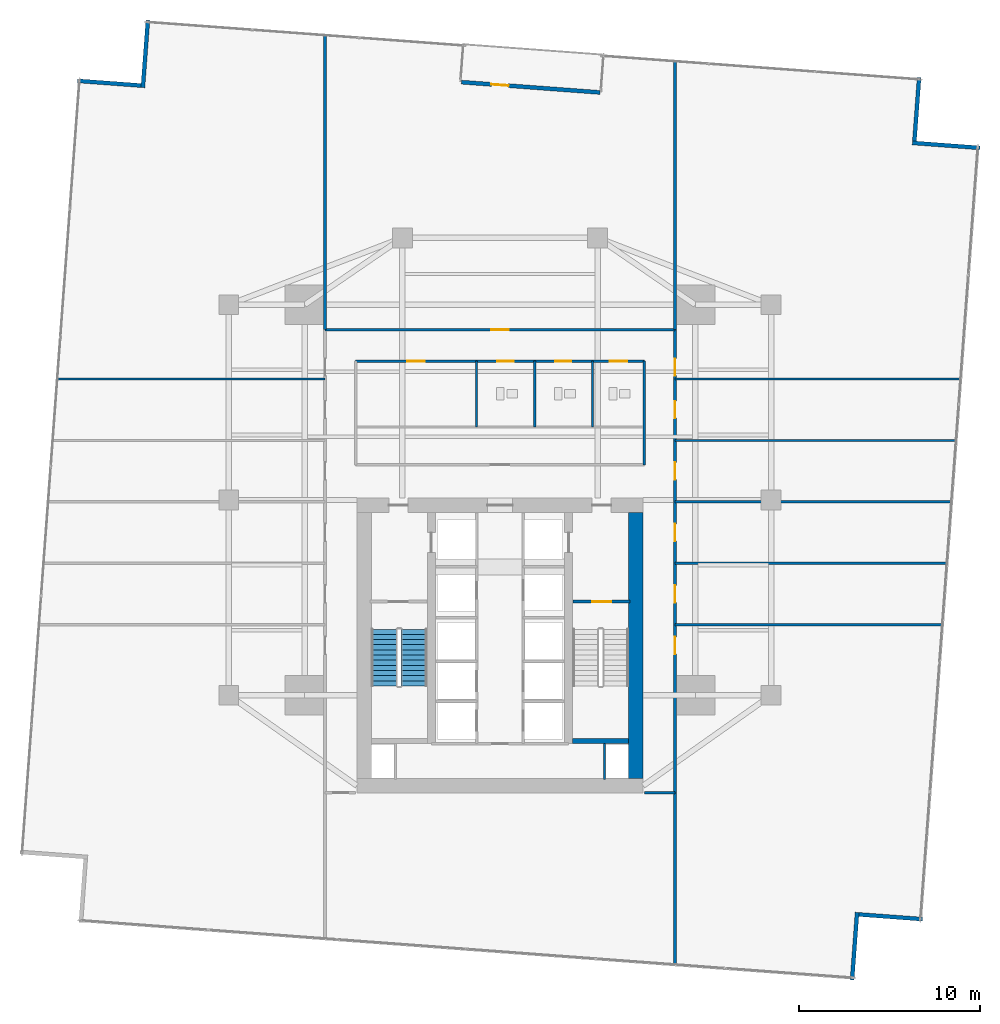
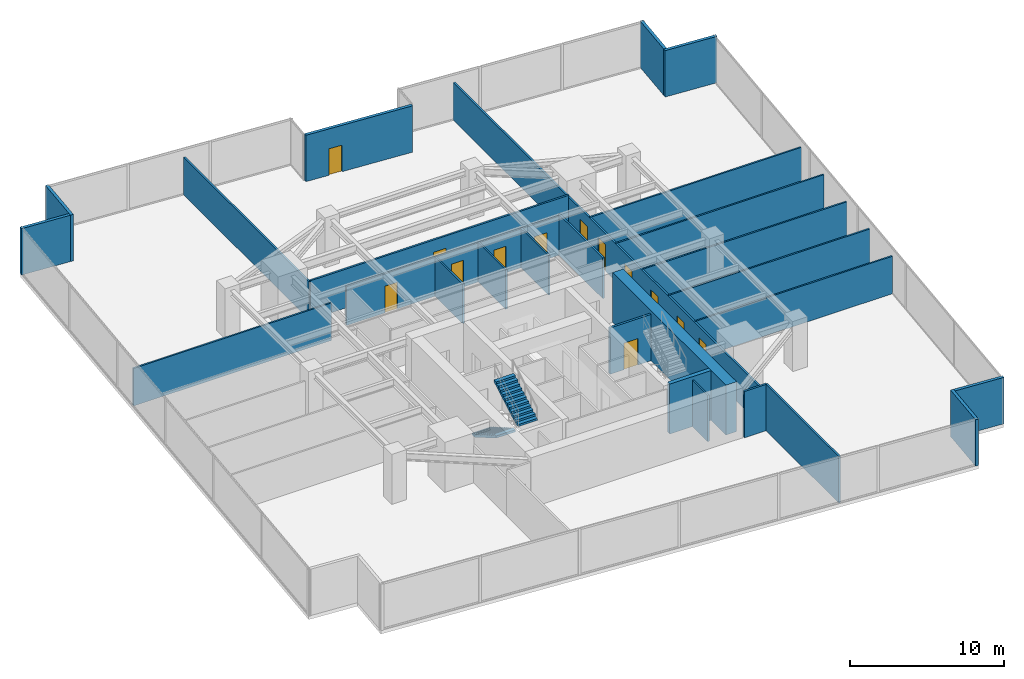
# One storey, part 27 of 30: 28 walls, 13 doors, 2 stair flights, 13 openings, 1 element without a shape of its own.
"""IFC4 building model written with IfcOpenShell, lengths in metres."""

from ifc_helpers import new_model, si_unit, direction, frame, frame_2d, origin, place, context, subcontext, project, spatial, polyline, rectangle, outline, extrude, material, layer, layer_set, type_object, element, fill, aggregate, save


model = new_model("IFC4")

# Units and contexts
model_context = context("Model", 3, precision=1e-05, world=origin(), true_north=direction((0.0, 1.0)))
body_context = subcontext(model_context, "Body", "Model", "MODEL_VIEW")
ifc_project = project(units=[si_unit("LENGTHUNIT", "METRE"), si_unit("AREAUNIT", "SQUARE_METRE"), si_unit("VOLUMEUNIT", "CUBIC_METRE"), si_unit("PLANEANGLEUNIT", "RADIAN"), si_unit("MASSUNIT", "GRAM", prefix="KILO")], contexts=[model_context])

# Site, building, storey
site_placement = place(None, origin())
site = spatial("IfcSite", under=ifc_project, at=site_placement, CompositionType="ELEMENT")
building_placement = place(site_placement, origin())
building = spatial("IfcBuilding", under=site, at=building_placement, Name="Krantzveldt Concourse Tower", CompositionType="ELEMENT")
storey_placement = place(building_placement, frame((0.0, 0.0, 48.699951171875)))
storey = spatial("IfcBuildingStorey", under=building, at=storey_placement, Name="L11", CompositionType="ELEMENT", Elevation=48.699951171875)

# Walls
ifc_material_1 = material(Name="Anodised aluminium 6063-T6", Category="aluminium")
ifc_layer_1 = layer(ifc_material_1, 0.219970703125, Name="Anodised aluminium 6063-T6", Category="aluminium")
ifc_layer_set_1 = layer_set([ifc_layer_1], Name="Anodised aluminium 6063-T6 (WL-EXT-NOTCH220)")
wall_type_1 = type_object("IfcWallType", Name="WL-EXT-NOTCH220", PredefinedType="ELEMENTEDWALL", material=ifc_layer_set_1)
wall_1_placement = place(storey_placement, frame((16.144287109375, 49.62451171875, 0.0), z_axis=(0.0, 0.0, 1.0), x_axis=(-0.997250341397, 0.074106386922, 0.0)))
element("IfcWall", 1, at=wall_1_placement, inside=storey, type_object=wall_type_1, Name="EW-L11-NCH00", PredefinedType="ELEMENTEDWALL", context=body_context, shape_type="SweptSolid", body=[
    extrude(rectangle(XDim=3.525146484375, YDim=0.219970703125, at=frame_2d((1.7626953125, 0.0))), origin(), (0.0, 0.0, 1.0), 3.670166015625),
])
wall_2_placement = place(storey_placement, frame((55.4765625, 0.15869140625, 0.0), z_axis=(0.0, 0.0, 1.0), x_axis=(0.074123825884, 0.997249045342, 0.0)))
element("IfcWall", 2, at=wall_2_placement, inside=storey, type_object=wall_type_1, Name="EW-L11-NCH05", PredefinedType="ELEMENTEDWALL", context=body_context, shape_type="SweptSolid", body=[
    extrude(rectangle(XDim=3.744873046875, YDim=0.219970703125, at=frame_2d((1.87255859375, 0.0))), origin(), (0.0, 0.0, 1.0), 3.670166015625),
])
wall_3_placement = place(storey_placement, frame((55.855712890625, 3.775390625, 0.0), z_axis=(0.0, 0.0, 1.0), x_axis=(0.997250341397, -0.074106386922, 0.0)))
element("IfcWall", 3, at=wall_3_placement, inside=storey, type_object=wall_type_1, Name="EW-L11-NCH06", PredefinedType="ELEMENTEDWALL", context=body_context, shape_type="SweptSolid", body=[
    extrude(rectangle(XDim=3.525146484375, YDim=0.219970703125, at=frame_2d((1.7626953125, 0.0))), origin(), (0.0, 0.0, 1.0), 3.670166015625),
])
wall_4_placement = place(storey_placement, frame((62.541259765625, 46.176513671875, 0.0), z_axis=(0.0, 0.0, 1.0), x_axis=(-0.997249045342, 0.074123825884, 0.0)))
element("IfcWall", 4, at=wall_4_placement, inside=storey, type_object=wall_type_1, Name="EW-L11-NCH08", PredefinedType="ELEMENTEDWALL", context=body_context, shape_type="SweptSolid", body=[
    extrude(rectangle(XDim=3.744873046875, YDim=0.219970703125, at=frame_2d((1.87255859375, 0.0))), origin(), (0.0, 0.0, 1.0), 3.670166015625),
])
wall_5_placement = place(storey_placement, frame((58.924560546875, 46.5556640625, 0.0), z_axis=(0.0, 0.0, 1.0), x_axis=(0.074106386922, 0.997250341397, 0.0)))
element("IfcWall", 5, at=wall_5_placement, inside=storey, type_object=wall_type_1, Name="EW-L11-NCH09", PredefinedType="ELEMENTEDWALL", context=body_context, shape_type="SweptSolid", body=[
    extrude(rectangle(XDim=3.525146484375, YDim=0.219970703125, at=frame_2d((1.7626953125, 0.0))), origin(), (0.0, 0.0, 1.0), 3.670166015625),
])

# Wall, opening, door
wall_6_placement = place(storey_placement, frame((33.86181640625, 49.81201171875, 0.0), z_axis=(0.0, 0.0, 1.0), x_axis=(0.997250923726, -0.074098550107, 0.0)))
wall_6 = element("IfcWall", 6, at=wall_6_placement, inside=storey, type_object=wall_type_1, Name="EW-L11-TSLOT", PredefinedType="ELEMENTEDWALL", context=body_context, shape_type="SweptSolid", body=[
    extrude(rectangle(XDim=7.690185546875, YDim=0.219970703125, at=frame_2d((3.84521484375, 0.0))), origin(), (0.0, 0.0, 1.0), 3.670166015625),
])
opening_1_placement = place(wall_6_placement, frame((1.666748046875, 0.0, 0.0)))
opening_1 = element("IfcOpeningElement", 7, at=opening_1_placement, cuts=wall_6, Name="Opening D-EX95", PredefinedType="OPENING", context=body_context, shape_type="SweptSolid", body=[
    extrude(rectangle(XDim=0.949951171875, YDim=2.10009765625, at=frame_2d((0.47509765625, 1.050048828125))), frame((0.0, 0.1201171875, 0.0), z_axis=(0.0, -1.0, 0.0), x_axis=(1.0, 0.0, 0.0)), (0.0, 0.0, 1.0), 0.239990234375),
])
door_type_1 = type_object("IfcDoorType", Name="DR-EXT-950", OperationType="SINGLE_SWING_LEFT", PredefinedType="DOOR", material=ifc_material_1)
door_1_placement = place(opening_1_placement, origin())
door_1 = element("IfcDoor", 8, at=door_1_placement, inside=storey, type_object=door_type_1, Name="DR-L11-TERR", OperationType="SINGLE_SWING_LEFT", OverallHeight=2.10009765625, OverallWidth=0.949951171875, PredefinedType="DOOR", context=body_context, shape_type="SweptSolid", body=[
    extrude(rectangle(XDim=0.949951171875, YDim=2.10009765625, at=frame_2d((0.47509765625, 1.050048828125))), frame((0.0, 0.02490234375, 0.0), z_axis=(0.0, -1.0, 0.0), x_axis=(1.0, 0.0, 0.0)), (0.0, 0.0, 1.0), 0.050048828125),
])
fill(opening_1, door_1)

# Walls
wall_7_placement = place(storey_placement, frame((16.5234375, 53.241455078125, 0.0), z_axis=(0.0, 0.0, 1.0), x_axis=(-0.074119007176, -0.997249403497, 0.0)))
element("IfcWall", 9, at=wall_7_placement, inside=storey, type_object=wall_type_1, Name="EW-L11-NCH15", PredefinedType="ELEMENTEDWALL", context=body_context, shape_type="SweptSolid", body=[
    extrude(rectangle(XDim=3.7451171875, YDim=0.219970703125, at=frame_2d((1.87255859375, 0.0))), origin(), (0.0, 0.0, 1.0), 3.670166015625),
])
ifc_material_2 = material(Name="Fire-rated gypsum plasterboard on steel stud", Category="steel")
ifc_layer_2 = layer(ifc_material_2, 0.1201171875, Name="Fire-rated gypsum plasterboard on steel stud", Category="steel")
ifc_layer_set_2 = layer_set([ifc_layer_2], Name="Fire-rated gypsum plasterboard on steel stud (WL-PART-120)")
wall_type_2 = type_object("IfcWallType", Name="WL-PART-120", PredefinedType="PARTITIONING", material=ifc_layer_set_2)
for number, where, z_axis, x_axis, name in (
    (10, (37.919921875, 30.739990234375, 0.0), (0.0, 0.0, 1.0), (0.0, 1.0, 0.0), "WP-L11-WCD1"),
    (11, (41.1201171875, 30.739990234375, 0.0), (0.0, 0.0, 1.0), (0.0, 1.0, 0.0), "WP-L11-WCD2"),
    (12, (34.699951171875, 30.739990234375, 0.0), (0.0, 0.0, 1.0), (0.0, 1.0, 0.0), "WP-L11-WCD3"),
):
    element("IfcWall", number, at=place(storey_placement, frame(where, z_axis=z_axis, x_axis=x_axis)), inside=storey, type_object=wall_type_2, Name=name, PredefinedType="PARTITIONING", context=body_context, shape_type="SweptSolid", body=[
        extrude(rectangle(XDim=3.639892578125, YDim=0.1201171875, at=frame_2d((1.81982421875, 0.0))), origin(), (0.0, 0.0, 1.0), 3.1201171875),
    ])
wall_8_placement = place(storey_placement, frame((11.519287109375, 33.39990234375, 0.0), z_axis=(0.0, 0.0, 1.0), x_axis=(1.0, 0.0, 0.0)))
element("IfcWall", 13, at=wall_8_placement, inside=storey, type_object=wall_type_2, Name="WP-L11-WD5", PredefinedType="PARTITIONING", context=body_context, shape_type="SweptSolid", body=[
    extrude(rectangle(XDim=14.80078125, YDim=0.1201171875, at=frame_2d((7.400390625, 0.0))), origin(), (0.0, 0.0, 1.0), 2.969970703125),
])
wall_9_placement = place(storey_placement, frame((45.679931640625, 19.800048828125, 0.0), z_axis=(0.0, 0.0, 1.0), x_axis=(1.0, 0.0, 0.0)))
element("IfcWall", 14, at=wall_9_placement, inside=storey, type_object=wall_type_2, Name="WP-L11-ED1", PredefinedType="PARTITIONING", context=body_context, shape_type="SweptSolid", body=[
    extrude(rectangle(XDim=14.785888671875, YDim=0.1201171875, at=frame_2d((7.39306640625, 0.0))), origin(), (0.0, 0.0, 1.0), 2.969970703125),
])
wall_10_placement = place(storey_placement, frame((45.679931640625, 23.199951171875, 0.0), z_axis=(0.0, 0.0, 1.0), x_axis=(1.0, 0.0, 0.0)))
element("IfcWall", 15, at=wall_10_placement, inside=storey, type_object=wall_type_2, Name="WP-L11-ED2", PredefinedType="PARTITIONING", context=body_context, shape_type="SweptSolid", body=[
    extrude(rectangle(XDim=15.03857421875, YDim=0.1201171875, at=frame_2d((7.519287109375, 0.0))), origin(), (0.0, 0.0, 1.0), 2.969970703125),
])
wall_11_placement = place(storey_placement, frame((45.679931640625, 26.60009765625, 0.0), z_axis=(0.0, 0.0, 1.0), x_axis=(1.0, 0.0, 0.0)))
element("IfcWall", 16, at=wall_11_placement, inside=storey, type_object=wall_type_2, Name="WP-L11-ED3", PredefinedType="PARTITIONING", context=body_context, shape_type="SweptSolid", body=[
    extrude(rectangle(XDim=15.291259765625, YDim=0.1201171875, at=frame_2d((7.6455078125, 0.0))), origin(), (0.0, 0.0, 1.0), 2.969970703125),
])
wall_12_placement = place(storey_placement, frame((45.679931640625, 30.0, 0.0), z_axis=(0.0, 0.0, 1.0), x_axis=(1.0, 0.0, 0.0)))
element("IfcWall", 17, at=wall_12_placement, inside=storey, type_object=wall_type_2, Name="WP-L11-ED4", PredefinedType="PARTITIONING", context=body_context, shape_type="SweptSolid", body=[
    extrude(rectangle(XDim=15.5439453125, YDim=0.1201171875, at=frame_2d((7.77197265625, 0.0))), origin(), (0.0, 0.0, 1.0), 2.969970703125),
])
wall_13_placement = place(storey_placement, frame((45.679931640625, 33.39990234375, 0.0), z_axis=(0.0, 0.0, 1.0), x_axis=(1.0, 0.0, 0.0)))
element("IfcWall", 18, at=wall_13_placement, inside=storey, type_object=wall_type_2, Name="WP-L11-ED5", PredefinedType="PARTITIONING", context=body_context, shape_type="SweptSolid", body=[
    extrude(rectangle(XDim=15.796630859375, YDim=0.1201171875, at=frame_2d((7.8984375, 0.0))), origin(), (0.0, 0.0, 1.0), 2.969970703125),
])

# Wall, openings, doors
ifc_layer_3 = layer(ifc_material_2, 0.139892578125, Name="Fire-rated gypsum plasterboard on steel stud", Category="steel")
ifc_layer_set_3 = layer_set([ifc_layer_3], Name="Fire-rated gypsum plasterboard on steel stud (WL-PART-140)")
wall_type_3 = type_object("IfcWallType", Name="WL-PART-140", PredefinedType="PARTITIONING", material=ifc_layer_set_3)
wall_14_placement = place(storey_placement, frame((28.02001953125, 34.3798828125, 0.0), z_axis=(0.0, 0.0, 1.0), x_axis=(1.0, 0.0, 0.0)))
wall_14 = element("IfcWall", 19, at=wall_14_placement, inside=storey, type_object=wall_type_3, Name="WP-L11-ISLN", PredefinedType="PARTITIONING", context=body_context, shape_type="SweptSolid", body=[
    extrude(rectangle(XDim=15.9599609375, YDim=0.139892578125, at=frame_2d((7.97998046875, 0.0))), origin(), (0.0, 0.0, 1.0), 3.080078125),
])
opening_2_placement = place(wall_14_placement, frame((7.830078125, 0.0, 0.0)))
opening_2 = element("IfcOpeningElement", 20, at=opening_2_placement, cuts=wall_14, Name="Opening D-IN090", PredefinedType="OPENING", context=body_context, shape_type="SweptSolid", body=[
    extrude(rectangle(XDim=0.89990234375, YDim=2.10009765625, at=frame_2d((0.449951171875, 1.050048828125))), frame((0.0, 0.080078125, 0.0), z_axis=(0.0, -1.0, 0.0), x_axis=(1.0, 0.0, 0.0)), (0.0, 0.0, 1.0), 0.159912109375),
])
opening_3_placement = place(wall_14_placement, frame((11.030029296875, 0.0, 0.0)))
opening_3 = element("IfcOpeningElement", 21, at=opening_3_placement, cuts=wall_14, Name="Opening D-IN090", PredefinedType="OPENING", context=body_context, shape_type="SweptSolid", body=[
    extrude(rectangle(XDim=0.89990234375, YDim=2.10009765625, at=frame_2d((0.449951171875, 1.050048828125))), frame((0.0, 0.080078125, 0.0), z_axis=(0.0, -1.0, 0.0), x_axis=(1.0, 0.0, 0.0)), (0.0, 0.0, 1.0), 0.159912109375),
])
opening_4_placement = place(wall_14_placement, frame((14.054931640625, 0.0, 0.0)))
opening_4 = element("IfcOpeningElement", 22, at=opening_4_placement, cuts=wall_14, Name="Opening D-IN095", PredefinedType="OPENING", context=body_context, shape_type="SweptSolid", body=[
    extrude(rectangle(XDim=0.949951171875, YDim=2.10009765625, at=frame_2d((0.47509765625, 1.050048828125))), frame((0.0, 0.080078125, 0.0), z_axis=(0.0, -1.0, 0.0), x_axis=(1.0, 0.0, 0.0)), (0.0, 0.0, 1.0), 0.159912109375),
])
opening_5_placement = place(wall_14_placement, frame((2.85498046875, 0.0, 0.0)))
opening_5 = element("IfcOpeningElement", 23, at=opening_5_placement, cuts=wall_14, Name="Opening D-IN095", PredefinedType="OPENING", context=body_context, shape_type="SweptSolid", body=[
    extrude(rectangle(XDim=0.949951171875, YDim=2.10009765625, at=frame_2d((0.47509765625, 1.050048828125))), frame((0.0, 0.080078125, 0.0), z_axis=(0.0, -1.0, 0.0), x_axis=(1.0, 0.0, 0.0)), (0.0, 0.0, 1.0), 0.159912109375),
])
ifc_material_3 = material(Name="Hardwood timber", Category="wood")
door_type_2 = type_object("IfcDoorType", Name="DR-INT-900", OperationType="SINGLE_SWING_LEFT", PredefinedType="DOOR", material=ifc_material_3)
door_2_placement = place(opening_2_placement, origin())
door_2 = element("IfcDoor", 24, at=door_2_placement, inside=storey, type_object=door_type_2, Name="DR-L11-WCM", OperationType="SINGLE_SWING_LEFT", OverallHeight=2.10009765625, OverallWidth=0.89990234375, PredefinedType="DOOR", context=body_context, shape_type="SweptSolid", body=[
    extrude(rectangle(XDim=0.89990234375, YDim=2.10009765625, at=frame_2d((0.449951171875, 1.050048828125))), frame((0.0, 0.02490234375, 0.0), z_axis=(0.0, -1.0, 0.0), x_axis=(1.0, 0.0, 0.0)), (0.0, 0.0, 1.0), 0.050048828125),
])
fill(opening_2, door_2)
door_3_placement = place(opening_3_placement, origin())
door_3 = element("IfcDoor", 25, at=door_3_placement, inside=storey, type_object=door_type_2, Name="DR-L11-WCF", OperationType="SINGLE_SWING_RIGHT", OverallHeight=2.10009765625, OverallWidth=0.89990234375, PredefinedType="DOOR", context=body_context, shape_type="SweptSolid", body=[
    extrude(rectangle(XDim=0.89990234375, YDim=2.10009765625, at=frame_2d((0.449951171875, 1.050048828125))), frame((0.0, 0.02490234375, 0.0), z_axis=(0.0, -1.0, 0.0), x_axis=(1.0, 0.0, 0.0)), (0.0, 0.0, 1.0), 0.050048828125),
])
fill(opening_3, door_3)
door_type_3 = type_object("IfcDoorType", Name="DR-INT-950", OperationType="SINGLE_SWING_LEFT", PredefinedType="DOOR", material=ifc_material_3)
door_4_placement = place(opening_4_placement, origin())
door_4 = element("IfcDoor", 26, at=door_4_placement, inside=storey, type_object=door_type_3, Name="DR-L11-WCA", OperationType="SINGLE_SWING_LEFT", OverallHeight=2.10009765625, OverallWidth=0.949951171875, PredefinedType="DOOR", context=body_context, shape_type="SweptSolid", body=[
    extrude(rectangle(XDim=0.949951171875, YDim=2.10009765625, at=frame_2d((0.47509765625, 1.050048828125))), frame((0.0, 0.02490234375, 0.0), z_axis=(0.0, -1.0, 0.0), x_axis=(1.0, 0.0, 0.0)), (0.0, 0.0, 1.0), 0.050048828125),
])
fill(opening_4, door_4)
door_5_placement = place(opening_5_placement, origin())
door_5 = element("IfcDoor", 27, at=door_5_placement, inside=storey, type_object=door_type_3, Name="DR-L11-PNT", OperationType="SINGLE_SWING_RIGHT", OverallHeight=2.10009765625, OverallWidth=0.949951171875, PredefinedType="DOOR", context=body_context, shape_type="SweptSolid", body=[
    extrude(rectangle(XDim=0.949951171875, YDim=2.10009765625, at=frame_2d((0.47509765625, 1.050048828125))), frame((0.0, 0.02490234375, 0.0), z_axis=(0.0, -1.0, 0.0), x_axis=(1.0, 0.0, 0.0)), (0.0, 0.0, 1.0), 0.050048828125),
])
fill(opening_5, door_5)

# Wall
wall_15_placement = place(storey_placement, frame((43.97998046875, 28.639892578125, 0.0), z_axis=(0.0, 0.0, 1.0), x_axis=(0.0, 1.0, 0.0)))
element("IfcWall", 28, at=wall_15_placement, inside=storey, type_object=wall_type_3, Name="WP-L11-ISLE", PredefinedType="PARTITIONING", context=body_context, shape_type="SweptSolid", body=[
    extrude(rectangle(XDim=5.739990234375, YDim=0.139892578125, at=frame_2d((2.8701171875, 0.0))), origin(), (0.0, 0.0, 1.0), 3.219970703125),
])

# Wall, opening, door
wall_16_placement = place(storey_placement, frame((26.320068359375, 36.1201171875, 0.0), z_axis=(0.0, 0.0, 1.0), x_axis=(1.0, 0.0, 0.0)))
wall_16 = element("IfcWall", 29, at=wall_16_placement, inside=storey, type_object=wall_type_3, Name="WP-L11-CTOP", PredefinedType="PARTITIONING", context=body_context, shape_type="SweptSolid", body=[
    extrude(rectangle(XDim=19.35986328125, YDim=0.139892578125, at=frame_2d((9.679931640625, 0.0))), origin(), (0.0, 0.0, 1.0), 3.080078125),
])
opening_6_placement = place(wall_16_placement, frame((9.205078125, 0.0, 0.0)))
opening_6 = element("IfcOpeningElement", 30, at=opening_6_placement, cuts=wall_16, Name="Opening D-IN095", PredefinedType="OPENING", context=body_context, shape_type="SweptSolid", body=[
    extrude(rectangle(XDim=0.949951171875, YDim=2.10009765625, at=frame_2d((0.47509765625, 1.050048828125))), frame((0.0, 0.080078125, 0.0), z_axis=(0.0, -1.0, 0.0), x_axis=(1.0, 0.0, 0.0)), (0.0, 0.0, 1.0), 0.159912109375),
])
door_6_placement = place(opening_6_placement, origin())
door_6 = element("IfcDoor", 31, at=door_6_placement, inside=storey, type_object=door_type_3, Name="DR-L11-NR1", OperationType="SINGLE_SWING_LEFT", OverallHeight=2.10009765625, OverallWidth=0.949951171875, PredefinedType="DOOR", context=body_context, shape_type="SweptSolid", body=[
    extrude(rectangle(XDim=0.949951171875, YDim=2.10009765625, at=frame_2d((0.47509765625, 1.050048828125))), frame((0.0, 0.02490234375, 0.0), z_axis=(0.0, -1.0, 0.0), x_axis=(1.0, 0.0, 0.0)), (0.0, 0.0, 1.0), 0.050048828125),
])
fill(opening_6, door_6)

# Wall, openings, doors
wall_17_placement = place(storey_placement, frame((45.679931640625, 10.5, 0.0), z_axis=(0.0, 0.0, 1.0), x_axis=(0.0, 1.0, 0.0)))
wall_17 = element("IfcWall", 32, at=wall_17_placement, inside=storey, type_object=wall_type_3, Name="WP-L11-CEAST", PredefinedType="PARTITIONING", context=body_context, shape_type="SweptSolid", body=[
    extrude(rectangle(XDim=25.6201171875, YDim=0.139892578125, at=frame_2d((12.81005859375, 0.0))), origin(), (0.0, 0.0, 1.0), 2.969970703125),
])
opening_7_placement = place(wall_17_placement, frame((7.675048828125, 0.0, 0.0)))
opening_7 = element("IfcOpeningElement", 33, at=opening_7_placement, cuts=wall_17, Name="Opening D-IN095", PredefinedType="OPENING", context=body_context, shape_type="SweptSolid", body=[
    extrude(rectangle(XDim=0.949951171875, YDim=2.10009765625, at=frame_2d((0.47509765625, 1.050048828125))), frame((0.0, 0.080078125, 0.0), z_axis=(0.0, -1.0, 0.0), x_axis=(1.0, 0.0, 0.0)), (0.0, 0.0, 1.0), 0.159912109375),
])
opening_8_placement = place(wall_17_placement, frame((10.52490234375, 0.0, 0.0)))
opening_8 = element("IfcOpeningElement", 34, at=opening_8_placement, cuts=wall_17, Name="Opening D-IN095", PredefinedType="OPENING", context=body_context, shape_type="SweptSolid", body=[
    extrude(rectangle(XDim=0.949951171875, YDim=2.10009765625, at=frame_2d((0.47509765625, 1.050048828125))), frame((0.0, 0.080078125, 0.0), z_axis=(0.0, -1.0, 0.0), x_axis=(1.0, 0.0, 0.0)), (0.0, 0.0, 1.0), 0.159912109375),
])
opening_9_placement = place(wall_17_placement, frame((13.925048828125, 0.0, 0.0)))
opening_9 = element("IfcOpeningElement", 35, at=opening_9_placement, cuts=wall_17, Name="Opening D-IN095", PredefinedType="OPENING", context=body_context, shape_type="SweptSolid", body=[
    extrude(rectangle(XDim=0.949951171875, YDim=2.10009765625, at=frame_2d((0.47509765625, 1.050048828125))), frame((0.0, 0.080078125, 0.0), z_axis=(0.0, -1.0, 0.0), x_axis=(1.0, 0.0, 0.0)), (0.0, 0.0, 1.0), 0.159912109375),
])
opening_10_placement = place(wall_17_placement, frame((17.324951171875, 0.0, 0.0)))
opening_10 = element("IfcOpeningElement", 36, at=opening_10_placement, cuts=wall_17, Name="Opening D-IN095", PredefinedType="OPENING", context=body_context, shape_type="SweptSolid", body=[
    extrude(rectangle(XDim=0.949951171875, YDim=2.10009765625, at=frame_2d((0.47509765625, 1.050048828125))), frame((0.0, 0.080078125, 0.0), z_axis=(0.0, -1.0, 0.0), x_axis=(1.0, 0.0, 0.0)), (0.0, 0.0, 1.0), 0.159912109375),
])
opening_11_placement = place(wall_17_placement, frame((20.72509765625, 0.0, 0.0)))
opening_11 = element("IfcOpeningElement", 37, at=opening_11_placement, cuts=wall_17, Name="Opening D-IN095", PredefinedType="OPENING", context=body_context, shape_type="SweptSolid", body=[
    extrude(rectangle(XDim=0.949951171875, YDim=2.10009765625, at=frame_2d((0.47509765625, 1.050048828125))), frame((0.0, 0.080078125, 0.0), z_axis=(0.0, -1.0, 0.0), x_axis=(1.0, 0.0, 0.0)), (0.0, 0.0, 1.0), 0.159912109375),
])
opening_12_placement = place(wall_17_placement, frame((23.074951171875, 0.0, 0.0)))
opening_12 = element("IfcOpeningElement", 38, at=opening_12_placement, cuts=wall_17, Name="Opening D-IN095", PredefinedType="OPENING", context=body_context, shape_type="SweptSolid", body=[
    extrude(rectangle(XDim=0.949951171875, YDim=2.10009765625, at=frame_2d((0.47509765625, 1.050048828125))), frame((0.0, 0.080078125, 0.0), z_axis=(0.0, -1.0, 0.0), x_axis=(1.0, 0.0, 0.0)), (0.0, 0.0, 1.0), 0.159912109375),
])
door_7_placement = place(opening_7_placement, origin())
door_7 = element("IfcDoor", 39, at=door_7_placement, inside=storey, type_object=door_type_3, Name="DR-L11-ER1", OperationType="SINGLE_SWING_LEFT", OverallHeight=2.10009765625, OverallWidth=0.949951171875, PredefinedType="DOOR", context=body_context, shape_type="SweptSolid", body=[
    extrude(rectangle(XDim=0.949951171875, YDim=2.10009765625, at=frame_2d((0.47509765625, 1.050048828125))), frame((0.0, 0.02490234375, 0.0), z_axis=(0.0, -1.0, 0.0), x_axis=(1.0, 0.0, 0.0)), (0.0, 0.0, 1.0), 0.050048828125),
])
fill(opening_7, door_7)
door_8_placement = place(opening_8_placement, origin())
door_8 = element("IfcDoor", 40, at=door_8_placement, inside=storey, type_object=door_type_3, Name="DR-L11-ER2", OperationType="SINGLE_SWING_LEFT", OverallHeight=2.10009765625, OverallWidth=0.949951171875, PredefinedType="DOOR", context=body_context, shape_type="SweptSolid", body=[
    extrude(rectangle(XDim=0.949951171875, YDim=2.10009765625, at=frame_2d((0.47509765625, 1.050048828125))), frame((0.0, 0.02490234375, 0.0), z_axis=(0.0, -1.0, 0.0), x_axis=(1.0, 0.0, 0.0)), (0.0, 0.0, 1.0), 0.050048828125),
])
fill(opening_8, door_8)
door_9_placement = place(opening_9_placement, origin())
door_9 = element("IfcDoor", 41, at=door_9_placement, inside=storey, type_object=door_type_3, Name="DR-L11-ER3", OperationType="SINGLE_SWING_LEFT", OverallHeight=2.10009765625, OverallWidth=0.949951171875, PredefinedType="DOOR", context=body_context, shape_type="SweptSolid", body=[
    extrude(rectangle(XDim=0.949951171875, YDim=2.10009765625, at=frame_2d((0.47509765625, 1.050048828125))), frame((0.0, 0.02490234375, 0.0), z_axis=(0.0, -1.0, 0.0), x_axis=(1.0, 0.0, 0.0)), (0.0, 0.0, 1.0), 0.050048828125),
])
fill(opening_9, door_9)
door_10_placement = place(opening_10_placement, origin())
door_10 = element("IfcDoor", 42, at=door_10_placement, inside=storey, type_object=door_type_3, Name="DR-L11-ER4", OperationType="SINGLE_SWING_LEFT", OverallHeight=2.10009765625, OverallWidth=0.949951171875, PredefinedType="DOOR", context=body_context, shape_type="SweptSolid", body=[
    extrude(rectangle(XDim=0.949951171875, YDim=2.10009765625, at=frame_2d((0.47509765625, 1.050048828125))), frame((0.0, 0.02490234375, 0.0), z_axis=(0.0, -1.0, 0.0), x_axis=(1.0, 0.0, 0.0)), (0.0, 0.0, 1.0), 0.050048828125),
])
fill(opening_10, door_10)
door_11_placement = place(opening_11_placement, origin())
door_11 = element("IfcDoor", 43, at=door_11_placement, inside=storey, type_object=door_type_3, Name="DR-L11-ER5", OperationType="SINGLE_SWING_LEFT", OverallHeight=2.10009765625, OverallWidth=0.949951171875, PredefinedType="DOOR", context=body_context, shape_type="SweptSolid", body=[
    extrude(rectangle(XDim=0.949951171875, YDim=2.10009765625, at=frame_2d((0.47509765625, 1.050048828125))), frame((0.0, 0.02490234375, 0.0), z_axis=(0.0, -1.0, 0.0), x_axis=(1.0, 0.0, 0.0)), (0.0, 0.0, 1.0), 0.050048828125),
])
fill(opening_11, door_11)
door_12_placement = place(opening_12_placement, origin())
door_12 = element("IfcDoor", 44, at=door_12_placement, inside=storey, type_object=door_type_3, Name="DR-L11-ER6", OperationType="SINGLE_SWING_LEFT", OverallHeight=2.10009765625, OverallWidth=0.949951171875, PredefinedType="DOOR", context=body_context, shape_type="SweptSolid", body=[
    extrude(rectangle(XDim=0.949951171875, YDim=2.10009765625, at=frame_2d((0.47509765625, 1.050048828125))), frame((0.0, 0.02490234375, 0.0), z_axis=(0.0, -1.0, 0.0), x_axis=(1.0, 0.0, 0.0)), (0.0, 0.0, 1.0), 0.050048828125),
])
fill(opening_12, door_12)

# Walls
wall_18_placement = place(storey_placement, frame((44.0, 10.5, 0.0), z_axis=(0.0, 0.0, 1.0), x_axis=(1.0, 0.0, 0.0)))
element("IfcWall", 45, at=wall_18_placement, inside=storey, type_object=wall_type_3, Name="WP-L11-CEBOT", PredefinedType="PARTITIONING", context=body_context, shape_type="SweptSolid", body=[
    extrude(rectangle(XDim=1.679931640625, YDim=0.139892578125, at=frame_2d((0.83984375, 0.0))), origin(), (0.0, 0.0, 1.0), 3.670166015625),
])
wall_19_placement = place(storey_placement, frame((26.320068359375, 36.1201171875, 0.0), z_axis=(0.0, 0.0, 1.0), x_axis=(0.0, 1.0, 0.0)))
element("IfcWall", 46, at=wall_19_placement, inside=storey, type_object=wall_type_3, Name="WP-L11-NWL", PredefinedType="PARTITIONING", context=body_context, shape_type="SweptSolid", body=[
    extrude(rectangle(XDim=16.27783203125, YDim=0.139892578125, at=frame_2d((8.138916015625, 0.0))), origin(), (0.0, 0.0, 1.0), 2.969970703125),
])
wall_20_placement = place(storey_placement, frame((45.679931640625, 36.1201171875, 0.0), z_axis=(0.0, 0.0, 1.0), x_axis=(0.0, 1.0, 0.0)))
element("IfcWall", 47, at=wall_20_placement, inside=storey, type_object=wall_type_3, Name="WP-L11-NER", PredefinedType="PARTITIONING", context=body_context, shape_type="SweptSolid", body=[
    extrude(rectangle(XDim=14.839111328125, YDim=0.139892578125, at=frame_2d((7.41943359375, 0.0))), origin(), (0.0, 0.0, 1.0), 2.969970703125),
])
wall_21_placement = place(storey_placement, frame((45.679931640625, 1.001953125, 0.0), z_axis=(0.0, 0.0, 1.0), x_axis=(0.0, 1.0, 0.0)))
element("IfcWall", 48, at=wall_21_placement, inside=storey, type_object=wall_type_3, Name="WP-L11-SER", PredefinedType="PARTITIONING", context=body_context, shape_type="SweptSolid", body=[
    extrude(rectangle(XDim=9.498046875, YDim=0.139892578125, at=frame_2d((4.7490234375, 0.0))), origin(), (0.0, 0.0, 1.0), 3.670166015625),
])
ifc_layer_4 = layer(ifc_material_2, 0.139892578125, Name="Fire-rated gypsum plasterboard on steel stud", Category="steel")
ifc_layer_set_4 = layer_set([ifc_layer_4], Name="Fire-rated gypsum plasterboard on steel stud (WL-PART-FR140)")
wall_type_4 = type_object("IfcWallType", Name="WL-PART-FR140", PredefinedType="PARTITIONING", material=ifc_layer_set_4)
wall_22_placement = place(storey_placement, frame((41.780029296875, 11.25, 0.0), z_axis=(0.0, 0.0, 1.0), x_axis=(0.0, 1.0, 0.0)))
element("IfcWall", 49, at=wall_22_placement, inside=storey, type_object=wall_type_4, Name="WP-L11-RSE", PredefinedType="PARTITIONING", context=body_context, shape_type="SweptSolid", body=[
    extrude(rectangle(XDim=1.969970703125, YDim=0.1201171875, at=frame_2d((0.98486328125, 0.0))), origin(), (0.0, 0.0, 1.0), 3.670166015625),
])

# Wall, opening, door
ifc_layer_5 = layer(ifc_material_2, 0.159912109375, Name="Fire-rated gypsum plasterboard on steel stud", Category="steel")
ifc_layer_set_5 = layer_set([ifc_layer_5], Name="Fire-rated gypsum plasterboard on steel stud (WL-PART-FR160)")
wall_type_5 = type_object("IfcWallType", Name="WL-PART-FR160", PredefinedType="PARTITIONING", material=ifc_layer_set_5)
wall_23_placement = place(storey_placement, frame((40.0400390625, 21.080078125, 0.0), z_axis=(0.0, 0.0, 1.0), x_axis=(1.0, 0.0, 0.0)))
wall_23 = element("IfcWall", 50, at=wall_23_placement, inside=storey, type_object=wall_type_5, Name="WP-L11-ST2", PredefinedType="PARTITIONING", context=body_context, shape_type="SweptSolid", body=[
    extrude(rectangle(XDim=3.159912109375, YDim=0.159912109375, at=frame_2d((1.580078125, 0.0))), origin(), (0.0, 0.0, 1.0), 3.670166015625),
])
opening_13_placement = place(wall_23_placement, frame((1.054931640625, 0.0, 0.0)))
opening_13 = element("IfcOpeningElement", 51, at=opening_13_placement, cuts=wall_23, Name="Opening D-FD105", PredefinedType="OPENING", context=body_context, shape_type="SweptSolid", body=[
    extrude(rectangle(XDim=1.050048828125, YDim=2.10009765625, at=frame_2d((0.52490234375, 1.050048828125))), frame((0.0, 0.08984375, 0.0), z_axis=(0.0, -1.0, 0.0), x_axis=(1.0, 0.0, 0.0)), (0.0, 0.0, 1.0), 0.179931640625),
])
ifc_material_4 = material(Name="Galvanised steel", Category="steel")
door_type_4 = type_object("IfcDoorType", Name="DR-FD120-1050", OperationType="SINGLE_SWING_LEFT", PredefinedType="DOOR", material=ifc_material_4)
door_13_placement = place(opening_13_placement, origin())
door_13 = element("IfcDoor", 52, at=door_13_placement, inside=storey, type_object=door_type_4, Name="DR-L11-ST2", OperationType="SINGLE_SWING_LEFT", OverallHeight=2.10009765625, OverallWidth=1.050048828125, PredefinedType="DOOR", context=body_context, shape_type="SweptSolid", body=[
    extrude(rectangle(XDim=1.050048828125, YDim=2.10009765625, at=frame_2d((0.52490234375, 1.050048828125))), frame((0.0, 0.02490234375, 0.0), z_axis=(0.0, -1.0, 0.0), x_axis=(1.0, 0.0, 0.0)), (0.0, 0.0, 1.0), 0.050048828125),
])
fill(opening_13, door_13)

# Walls
ifc_material_5 = material(Name="Concrete C50/60", Category="concrete")
ifc_layer_6 = layer(ifc_material_5, 0.300048828125, Name="Concrete C50/60", Category="concrete")
ifc_layer_set_6 = layer_set([ifc_layer_6], Name="Concrete C50/60 (WL-SHEAR-300)")
wall_type_6 = type_object("IfcWallType", Name="WL-SHEAR-300", PredefinedType="SHEAR", material=ifc_layer_set_6)
wall_24_placement = place(storey_placement, frame((40.02001953125, 13.3701171875, 0.0), z_axis=(0.0, 0.0, 1.0), x_axis=(1.0, 0.0, 0.0)))
element("IfcWall", 53, at=wall_24_placement, inside=storey, type_object=wall_type_6, Name="CW-L11-ST2S", PredefinedType="SHEAR", context=body_context, shape_type="SweptSolid", body=[
    extrude(rectangle(XDim=3.10009765625, YDim=0.300048828125, at=frame_2d((1.550048828125, 0.0))), origin(), (0.0, 0.0, 1.0), 3.949951171875),
])
ifc_material_6 = material(Name="Concrete C60/75", Category="concrete")
ifc_layer_7 = layer(ifc_material_6, 0.800048828125, Name="Concrete C60/75", Category="concrete")
ifc_layer_set_7 = layer_set([ifc_layer_7], Name="Concrete C60/75 (WL-SHEAR-800)")
wall_type_7 = type_object("IfcWallType", Name="WL-SHEAR-800", PredefinedType="SHEAR", material=ifc_layer_set_7)
wall_25_placement = place(storey_placement, frame((43.52001953125, 11.300048828125, 0.0), z_axis=(0.0, 0.0, 1.0), x_axis=(0.0, 1.0, 0.0)))
element("IfcWall", 54, at=wall_25_placement, inside=storey, type_object=wall_type_7, Name="CW-L11-E", PredefinedType="SHEAR", context=body_context, shape_type="SweptSolid", body=[
    extrude(rectangle(XDim=14.699951171875, YDim=0.800048828125, at=frame_2d((7.35009765625, 0.0))), origin(), (0.0, 0.0, 1.0), 3.949951171875),
])

# Stair, stair flights
ifc_material_7 = material(Name="Precast concrete C40/50", Category="concrete")
stair_type = type_object("IfcStairType", Name="STR-CORE-DOGLEG", PredefinedType="HALF_TURN_STAIR", material=ifc_material_7)
stair_placement = place(storey_placement, origin())
stair = element("IfcStair", 55, at=stair_placement, inside=storey, type_object=stair_type, Name="L11 Protected Escape Stair ST-1", PredefinedType="HALF_TURN_STAIR")
stair_flight_type = type_object("IfcStairFlightType", Name="STF-CORE-1450", PredefinedType="STRAIGHT", material=ifc_material_7)
stair_flight_1_placement = place(storey_placement, frame((29.60498046875, 19.550048828125, 0.0), z_axis=(0.0, 0.0, 1.0), x_axis=(0.0, -1.0, 0.0)))
stair_flight_1 = element("IfcStairFlight", 56, at=stair_flight_1_placement, type_object=stair_flight_type, Name="ST-1 flight 1", NumberOfRisers=12, NumberOfTreads=11, PredefinedType="STRAIGHT", RiserHeight=0.164583333, TreadLength=0.285, context=body_context, shape_type="SweptSolid", body=[
    extrude(outline(polyline([(0.0, 0.0), (0.0, 0.16455078125), (0.284912109375, 0.16455078125), (0.284912109375, 0.3291015625), (0.570068359375, 0.3291015625), (0.570068359375, 0.49365234375), (0.85498046875, 0.49365234375), (0.85498046875, 0.658447265625), (1.139892578125, 0.658447265625), (1.139892578125, 0.822998046875), (1.425048828125, 0.822998046875), (1.425048828125, 0.987548828125), (1.7099609375, 0.987548828125), (1.7099609375, 1.152099609375), (1.9951171875, 1.152099609375), (1.9951171875, 1.316650390625), (2.280029296875, 1.316650390625), (2.280029296875, 1.481201171875), (2.56494140625, 1.481201171875), (2.56494140625, 1.645751953125), (2.85009765625, 1.645751953125), (2.85009765625, 1.810302734375), (3.135009765625, 1.810302734375), (3.135009765625, 1.97509765625), (3.135009765625, 1.63720703125), (0.2998046875, 0.0), (0.0, 0.0)])), frame((0.0, 0.72509765625, 0.0), z_axis=(0.0, -1.0, 0.0), x_axis=(1.0, 0.0, 0.0)), (0.0, 0.0, 1.0), 1.449951171875),
])
stair_flight_2_placement = place(storey_placement, frame((31.2548828125, 16.4150390625, 1.97509765625), z_axis=(0.0, 0.0, 1.0), x_axis=(0.0, 1.0, 0.0)))
stair_flight_2 = element("IfcStairFlight", 57, at=stair_flight_2_placement, type_object=stair_flight_type, Name="ST-1 flight 2", NumberOfRisers=12, NumberOfTreads=11, PredefinedType="STRAIGHT", RiserHeight=0.164583333, TreadLength=0.285, context=body_context, shape_type="SweptSolid", body=[
    extrude(outline(polyline([(0.0, 0.0), (0.0, 0.16455078125), (0.284912109375, 0.16455078125), (0.284912109375, 0.3291015625), (0.570068359375, 0.3291015625), (0.570068359375, 0.49365234375), (0.85498046875, 0.49365234375), (0.85498046875, 0.658447265625), (1.139892578125, 0.658447265625), (1.139892578125, 0.822998046875), (1.425048828125, 0.822998046875), (1.425048828125, 0.987548828125), (1.7099609375, 0.987548828125), (1.7099609375, 1.152099609375), (1.9951171875, 1.152099609375), (1.9951171875, 1.316650390625), (2.280029296875, 1.316650390625), (2.280029296875, 1.481201171875), (2.56494140625, 1.481201171875), (2.56494140625, 1.645751953125), (2.85009765625, 1.645751953125), (2.85009765625, 1.810302734375), (3.135009765625, 1.810302734375), (3.135009765625, 1.97509765625), (3.135009765625, 1.63720703125), (0.2998046875, 0.0), (0.0, 0.0)])), frame((0.0, 0.72509765625, 0.0), z_axis=(0.0, -1.0, 0.0), x_axis=(1.0, 0.0, 0.0)), (0.0, 0.0, 1.0), 1.449951171875),
])
aggregate(stair, [stair_flight_1, stair_flight_2])

save(model, "model.ifc")
